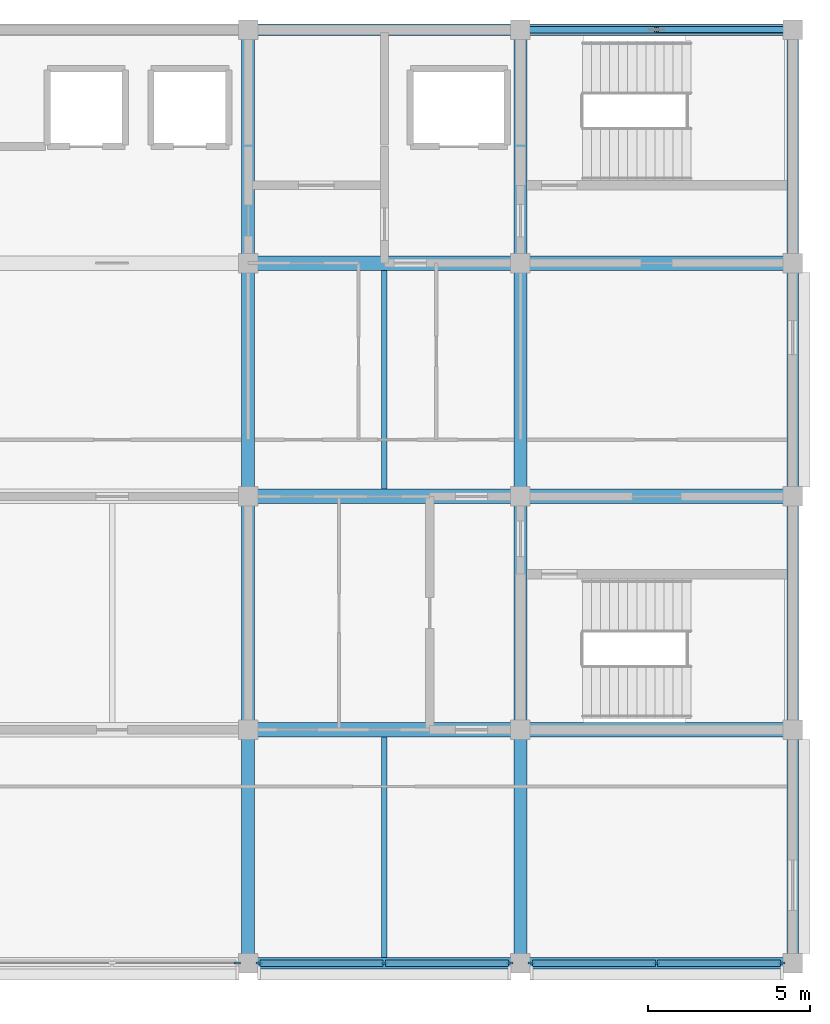
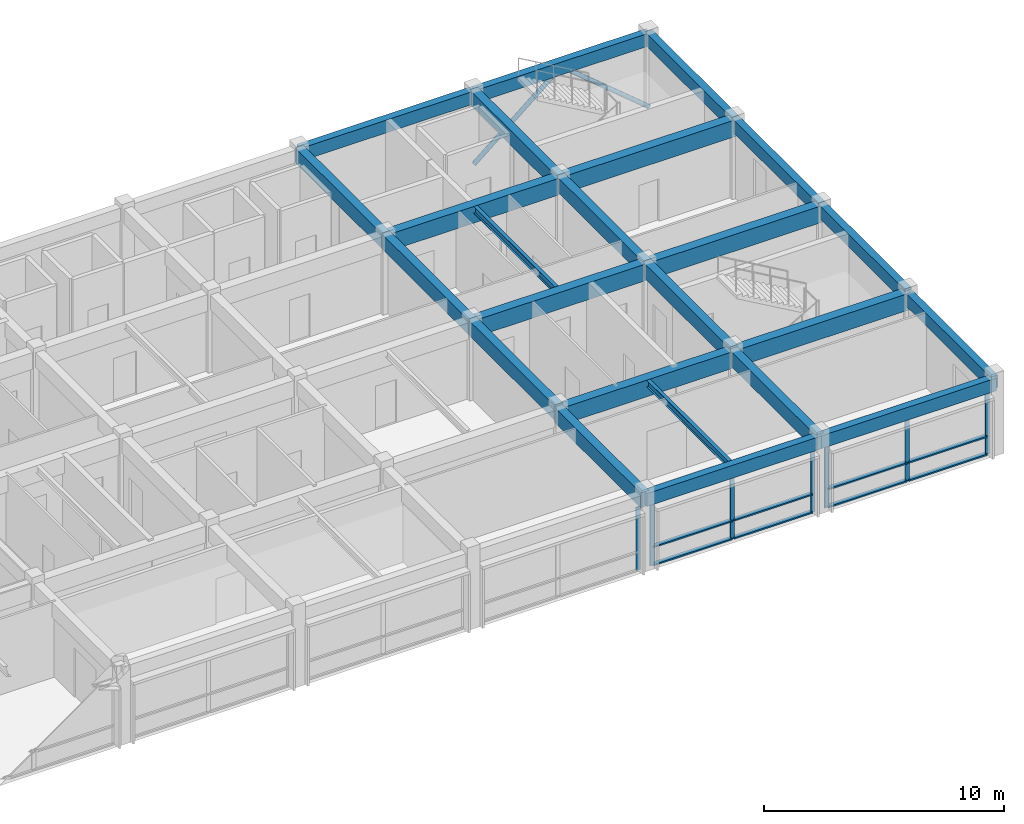
# One storey, part 4 of 13: 24 beams, 21 members, 3 elements without a shape of their own.
"""IFC4 building model written with IfcOpenShell, lengths in metres."""

from ifc_helpers import new_model, si_unit, direction, frame, origin, origin_2d, place, context, subcontext, project, spatial, rectangle, hollow_circle, i_section, extrude, material, layer, layer_set, material_profile, profile_set, type_object, element, aggregate, save


model = new_model("IFC4")

# Units and contexts
model_context = context("Model", 3, precision=1e-05, world=origin(), true_north=direction((0.0, 1.0)))
body_context = subcontext(model_context, "Body", "Model", "MODEL_VIEW")
ifc_project = project(units=[si_unit("LENGTHUNIT", "METRE"), si_unit("AREAUNIT", "SQUARE_METRE"), si_unit("VOLUMEUNIT", "CUBIC_METRE"), si_unit("PLANEANGLEUNIT", "RADIAN"), si_unit("MASSUNIT", "GRAM", prefix="KILO")], contexts=[model_context])

# Site, building, storey
site_placement = place(None, origin())
site = spatial("IfcSite", under=ifc_project, at=site_placement, CompositionType="ELEMENT")
building_placement = place(site_placement, origin())
building = spatial("IfcBuilding", under=site, at=building_placement, Name="Chengyuan Square Courthouse", CompositionType="ELEMENT")
storey_placement = place(building_placement, frame((0.0, 0.0, 64.5)))
storey = spatial("IfcBuildingStorey", under=building, at=storey_placement, Name="L15", CompositionType="ELEMENT", Elevation=64.5)

# Beams
ifc_material_1 = material(Name="Concrete C40", Category="concrete")
ifc_material_profile_1 = material_profile(ifc_material_1, rectangle(XDim=0.449951171875, YDim=0.85009765625, at=origin_2d()), Name="RC-BM-450x850")
ifc_profile_set_1 = profile_set([ifc_material_profile_1], Name="Concrete C40")
beam_type_1 = type_object("IfcBeamType", Name="BM-01", PredefinedType="USERDEFINED", material=ifc_profile_set_1)
beam_1_placement = place(storey_placement, frame((92.39990234375, 86.39990234375, 3.425048828125), z_axis=(1.0, 0.0, 0.0), x_axis=(0.0, 1.0, 0.0)))
element("IfcBeam", 1, at=beam_1_placement, inside=storey, type_object=beam_type_1, Name="Girder BM-L15-4501", ObjectType="GIRDER", PredefinedType="USERDEFINED", context=body_context, shape_type="SweptSolid", body=[
    extrude(rectangle(XDim=0.449951171875, YDim=0.85009765625, at=origin_2d()), origin(), (0.0, 0.0, 1.0), 8.400146484375),
])
beam_2_placement = place(storey_placement, frame((100.800048828125, 86.39990234375, 3.425048828125), z_axis=(1.0, 0.0, 0.0), x_axis=(0.0, 1.0, 0.0)))
element("IfcBeam", 2, at=beam_2_placement, inside=storey, type_object=beam_type_1, Name="Girder BM-L15-4502", ObjectType="GIRDER", PredefinedType="USERDEFINED", context=body_context, shape_type="SweptSolid", body=[
    extrude(rectangle(XDim=0.449951171875, YDim=0.85009765625, at=origin_2d()), origin(), (0.0, 0.0, 1.0), 8.39990234375),
])
beam_3_placement = place(storey_placement, frame((92.39990234375, 93.60009765625, 3.52490234375), z_axis=(1.0, 0.0, 0.0), x_axis=(0.0, 1.0, 0.0)))
element("IfcBeam", 3, at=beam_3_placement, inside=storey, type_object=beam_type_1, Name="Girder BM-L15-4507", ObjectType="GIRDER", PredefinedType="USERDEFINED", context=body_context, shape_type="SweptSolid", body=[
    extrude(rectangle(XDim=0.449951171875, YDim=0.85009765625, at=origin_2d()), origin(), (0.0, 0.0, 1.0), 8.400146484375),
])
beam_4_placement = place(storey_placement, frame((100.800048828125, 93.60009765625, 3.52490234375), z_axis=(1.0, 0.0, 0.0), x_axis=(0.0, 1.0, 0.0)))
element("IfcBeam", 4, at=beam_4_placement, inside=storey, type_object=beam_type_1, Name="Girder BM-L15-4508", ObjectType="GIRDER", PredefinedType="USERDEFINED", context=body_context, shape_type="SweptSolid", body=[
    extrude(rectangle(XDim=0.449951171875, YDim=0.85009765625, at=origin_2d()), origin(), (0.0, 0.0, 1.0), 8.39990234375),
])
beam_5_placement = place(storey_placement, frame((92.39990234375, 100.800048828125, 3.52490234375), z_axis=(1.0, 0.0, 0.0), x_axis=(0.0, 1.0, 0.0)))
element("IfcBeam", 5, at=beam_5_placement, inside=storey, type_object=beam_type_1, Name="Girder BM-L15-4513", ObjectType="GIRDER", PredefinedType="USERDEFINED", context=body_context, shape_type="SweptSolid", body=[
    extrude(rectangle(XDim=0.449951171875, YDim=0.85009765625, at=origin_2d()), origin(), (0.0, 0.0, 1.0), 8.400146484375),
])
beam_6_placement = place(storey_placement, frame((100.800048828125, 100.800048828125, 3.52490234375), z_axis=(1.0, 0.0, 0.0), x_axis=(0.0, 1.0, 0.0)))
element("IfcBeam", 6, at=beam_6_placement, inside=storey, type_object=beam_type_1, Name="Girder BM-L15-4514", ObjectType="GIRDER", PredefinedType="USERDEFINED", context=body_context, shape_type="SweptSolid", body=[
    extrude(rectangle(XDim=0.449951171875, YDim=0.85009765625, at=origin_2d()), origin(), (0.0, 0.0, 1.0), 8.39990234375),
])
ifc_material_profile_2 = material_profile(ifc_material_1, rectangle(XDim=0.39990234375, YDim=0.75, at=origin_2d()), Name="RC-BM-400x750")
ifc_profile_set_2 = profile_set([ifc_material_profile_2], Name="Concrete C40")
beam_type_2 = type_object("IfcBeamType", Name="BM-02", PredefinedType="USERDEFINED", material=ifc_profile_set_2)
beam_7_placement = place(storey_placement, frame((92.39990234375, 79.199951171875, 3.47509765625), z_axis=(0.0, 1.0, 0.0), x_axis=(-1.0, 0.0, 0.0)))
element("IfcBeam", 7, at=beam_7_placement, inside=storey, type_object=beam_type_2, Name="Girder BM-L15-4537", ObjectType="GIRDER", PredefinedType="USERDEFINED", context=body_context, shape_type="SweptSolid", body=[
    extrude(rectangle(XDim=0.39990234375, YDim=0.75, at=origin_2d()), origin(), (0.0, 0.0, 1.0), 7.199951171875),
])
beam_8_placement = place(storey_placement, frame((92.39990234375, 86.39990234375, 3.574951171875), z_axis=(0.0, 1.0, 0.0), x_axis=(-1.0, 0.0, 0.0)))
element("IfcBeam", 8, at=beam_8_placement, inside=storey, type_object=beam_type_2, Name="Girder BM-L15-4538", ObjectType="GIRDER", PredefinedType="USERDEFINED", context=body_context, shape_type="SweptSolid", body=[
    extrude(rectangle(XDim=0.39990234375, YDim=0.75, at=origin_2d()), origin(), (0.0, 0.0, 1.0), 7.2001953125),
])
for number, where, z_axis, x_axis, name in (
    (9, (92.39990234375, 93.60009765625, 3.574951171875), (0.0, 1.0, 0.0), (-1.0, 0.0, 0.0), "Girder BM-L15-4539"),
    (10, (92.39990234375, 100.800048828125, 3.574951171875), (0.0, 1.0, 0.0), (-1.0, 0.0, 0.0), "Girder BM-L15-4540"),
    (11, (100.800048828125, 79.199951171875, 3.47509765625), (0.0, 1.0, 0.0), (-1.0, 0.0, 0.0), "Girder BM-L15-4541"),
):
    element("IfcBeam", number, at=place(storey_placement, frame(where, z_axis=z_axis, x_axis=x_axis)), inside=storey, type_object=beam_type_2, Name=name, ObjectType="GIRDER", PredefinedType="USERDEFINED", context=body_context, shape_type="SweptSolid", body=[
        extrude(rectangle(XDim=0.39990234375, YDim=0.75, at=origin_2d()), origin(), (0.0, 0.0, 1.0), 7.199951171875),
    ])
beam_9_placement = place(storey_placement, frame((100.800048828125, 86.39990234375, 3.574951171875), z_axis=(0.0, 1.0, 0.0), x_axis=(-1.0, 0.0, 0.0)))
element("IfcBeam", 12, at=beam_9_placement, inside=storey, type_object=beam_type_2, Name="Girder BM-L15-4542", ObjectType="GIRDER", PredefinedType="USERDEFINED", context=body_context, shape_type="SweptSolid", body=[
    extrude(rectangle(XDim=0.39990234375, YDim=0.75, at=origin_2d()), origin(), (0.0, 0.0, 1.0), 7.2001953125),
])
for number, where, z_axis, x_axis, name in (
    (13, (100.800048828125, 93.60009765625, 3.574951171875), (0.0, 1.0, 0.0), (-1.0, 0.0, 0.0), "Girder BM-L15-4543"),
    (14, (100.800048828125, 100.800048828125, 3.574951171875), (0.0, 1.0, 0.0), (-1.0, 0.0, 0.0), "Girder BM-L15-4544"),
):
    element("IfcBeam", number, at=place(storey_placement, frame(where, z_axis=z_axis, x_axis=x_axis)), inside=storey, type_object=beam_type_2, Name=name, ObjectType="GIRDER", PredefinedType="USERDEFINED", context=body_context, shape_type="SweptSolid", body=[
        extrude(rectangle(XDim=0.39990234375, YDim=0.75, at=origin_2d()), origin(), (0.0, 0.0, 1.0), 7.199951171875),
    ])
ifc_material_profile_3 = material_profile(ifc_material_1, rectangle(XDim=0.35009765625, YDim=0.64990234375, at=origin_2d()), Name="RC-BM-350x650")
ifc_profile_set_3 = profile_set([ifc_material_profile_3], Name="Concrete C40")
beam_type_3 = type_object("IfcBeamType", Name="BM-03", PredefinedType="SPANDREL", material=ifc_profile_set_3)
beam_10_placement = place(storey_placement, frame((92.39990234375, 79.199951171875, 3.52490234375), z_axis=(1.0, 0.0, 0.0), x_axis=(0.0, 1.0, 0.0)))
element("IfcBeam", 15, at=beam_10_placement, inside=storey, type_object=beam_type_3, Name="Girder BM-L15-4495", PredefinedType="SPANDREL", context=body_context, shape_type="SweptSolid", body=[
    extrude(rectangle(XDim=0.35009765625, YDim=0.64990234375, at=origin_2d()), origin(), (0.0, 0.0, 1.0), 8.400146484375),
])
beam_11_placement = place(storey_placement, frame((100.800048828125, 79.199951171875, 3.52490234375), z_axis=(1.0, 0.0, 0.0), x_axis=(0.0, 1.0, 0.0)))
element("IfcBeam", 16, at=beam_11_placement, inside=storey, type_object=beam_type_3, Name="Girder BM-L15-4496", PredefinedType="SPANDREL", context=body_context, shape_type="SweptSolid", body=[
    extrude(rectangle(XDim=0.35009765625, YDim=0.64990234375, at=origin_2d()), origin(), (0.0, 0.0, 1.0), 8.39990234375),
])
beam_12_placement = place(storey_placement, frame((92.39990234375, 108.0, 3.625), z_axis=(1.0, 0.0, 0.0), x_axis=(0.0, 1.0, 0.0)))
element("IfcBeam", 17, at=beam_12_placement, inside=storey, type_object=beam_type_3, Name="Girder BM-L15-4519", PredefinedType="SPANDREL", context=body_context, shape_type="SweptSolid", body=[
    extrude(rectangle(XDim=0.35009765625, YDim=0.64990234375, at=origin_2d()), origin(), (0.0, 0.0, 1.0), 8.400146484375),
])
beam_13_placement = place(storey_placement, frame((100.800048828125, 108.0, 3.625), z_axis=(1.0, 0.0, 0.0), x_axis=(0.0, 1.0, 0.0)))
element("IfcBeam", 18, at=beam_13_placement, inside=storey, type_object=beam_type_3, Name="Girder BM-L15-4520", PredefinedType="SPANDREL", context=body_context, shape_type="SweptSolid", body=[
    extrude(rectangle(XDim=0.35009765625, YDim=0.64990234375, at=origin_2d()), origin(), (0.0, 0.0, 1.0), 8.39990234375),
])
beam_14_placement = place(storey_placement, frame((109.199951171875, 79.199951171875, 3.52490234375), z_axis=(0.0, 1.0, 0.0), x_axis=(-1.0, 0.0, 0.0)))
element("IfcBeam", 19, at=beam_14_placement, inside=storey, type_object=beam_type_3, Name="Girder BM-L15-4545", PredefinedType="SPANDREL", context=body_context, shape_type="SweptSolid", body=[
    extrude(rectangle(XDim=0.35009765625, YDim=0.64990234375, at=origin_2d()), origin(), (0.0, 0.0, 1.0), 7.199951171875),
])
beam_15_placement = place(storey_placement, frame((109.199951171875, 86.39990234375, 3.625), z_axis=(0.0, 1.0, 0.0), x_axis=(-1.0, 0.0, 0.0)))
element("IfcBeam", 20, at=beam_15_placement, inside=storey, type_object=beam_type_3, Name="Girder BM-L15-4546", PredefinedType="SPANDREL", context=body_context, shape_type="SweptSolid", body=[
    extrude(rectangle(XDim=0.35009765625, YDim=0.64990234375, at=origin_2d()), origin(), (0.0, 0.0, 1.0), 7.2001953125),
])
for number, where, z_axis, x_axis, name in (
    (21, (109.199951171875, 93.60009765625, 3.625), (0.0, 1.0, 0.0), (-1.0, 0.0, 0.0), "Girder BM-L15-4547"),
    (22, (109.199951171875, 100.800048828125, 3.625), (0.0, 1.0, 0.0), (-1.0, 0.0, 0.0), "Girder BM-L15-4548"),
):
    element("IfcBeam", number, at=place(storey_placement, frame(where, z_axis=z_axis, x_axis=x_axis)), inside=storey, type_object=beam_type_3, Name=name, PredefinedType="SPANDREL", context=body_context, shape_type="SweptSolid", body=[
        extrude(rectangle(XDim=0.35009765625, YDim=0.64990234375, at=origin_2d()), origin(), (0.0, 0.0, 1.0), 7.199951171875),
    ])
ifc_material_2 = material(Name="Steel Q355B", Category="steel")
ifc_material_profile_4 = material_profile(ifc_material_2, i_section(OverallWidth=0.175048828125, OverallDepth=0.35009765625, WebThickness=0.007080078125, FlangeThickness=0.010986328125, at=origin_2d()), Name="HN 350x175x7x11")
ifc_profile_set_4 = profile_set([ifc_material_profile_4], Name="Steel Q355B")
beam_type_4 = type_object("IfcBeamType", Name="BM-08", PredefinedType="BEAM", material=ifc_profile_set_4)
beam_16_placement = place(storey_placement, frame((96.60009765625, 79.375, 3.675048828125), z_axis=(0.0, 1.0, 0.0), x_axis=(-1.0, 0.0, 0.0)))
element("IfcBeam", 23, at=beam_16_placement, inside=storey, type_object=beam_type_4, Name="Secondary Floor Beam SBM-L15-4556", PredefinedType="BEAM", context=body_context, shape_type="SweptSolid", body=[
    extrude(i_section(OverallWidth=0.175048828125, OverallDepth=0.35009765625, WebThickness=0.007080078125, FlangeThickness=0.010986328125, at=origin_2d()), origin(), (0.0, 0.0, 1.0), 6.800048828125),
])
beam_17_placement = place(storey_placement, frame((96.60009765625, 93.824951171875, 3.77490234375), z_axis=(0.0, 1.0, 0.0), x_axis=(-1.0, 0.0, 0.0)))
element("IfcBeam", 24, at=beam_17_placement, inside=storey, type_object=beam_type_4, Name="Secondary Floor Beam SBM-L15-4557", PredefinedType="BEAM", context=body_context, shape_type="SweptSolid", body=[
    extrude(i_section(OverallWidth=0.175048828125, OverallDepth=0.35009765625, WebThickness=0.007080078125, FlangeThickness=0.010986328125, at=origin_2d()), origin(), (0.0, 0.0, 1.0), 6.75),
])

# Members
ifc_material_profile_5 = material_profile(ifc_material_2, hollow_circle(Radius=0.109619140625, WallThickness=0.008056640625, at=origin_2d()), Name="CHS 219x8")
ifc_profile_set_5 = profile_set([ifc_material_profile_5], Name="Steel Q355B")
member_type_1 = type_object("IfcMemberType", Name="BR-02", PredefinedType="BRACE", material=ifc_profile_set_5)
for number, where, z_axis, x_axis, name in (
    (25, (100.800048828125, 108.0, 0.10009765625), (0.768217619255, 0.0, 0.64018879205), (0.0, 1.0, 0.0), "Steel Chevron Brace BR-L15-059"),
    (26, (109.199951171875, 108.0, 0.10009765625), (-0.768217619255, 0.0, 0.64018879205), (0.0, -1.0, 0.0), "Steel Chevron Brace BR-L15-060"),
):
    element("IfcMember", number, at=place(storey_placement, frame(where, z_axis=z_axis, x_axis=x_axis)), inside=storey, type_object=member_type_1, Name=name, PredefinedType="BRACE", context=body_context, shape_type="SweptSolid", body=[
        extrude(hollow_circle(Radius=0.109619140625, WallThickness=0.008056640625, at=origin_2d()), origin(), (0.0, 0.0, 1.0), 5.467041015625),
    ])

# Curtain wall, member
ifc_material_3 = material(Name="Unitised Aluminium and Triple Low-E Glass", Category="aluminium")
ifc_layer = layer(ifc_material_3, 0.199951171875)
ifc_layer_set = layer_set([ifc_layer], Name="Unitised Aluminium and Triple Low-E Glass")
curtain_wall_type = type_object("IfcCurtainWallType", Name="CW-19", PredefinedType="USERDEFINED", material=ifc_layer_set)
curtain_wall_1_placement = place(storey_placement, origin())
curtain_wall_1 = element("IfcCurtainWall", 27, at=curtain_wall_1_placement, inside=storey, type_object=curtain_wall_type, Name="Unitised Curtain Wall CW-L15-279", ObjectType="UNITISED CURTAIN WALL", PredefinedType="USERDEFINED")
ifc_material_4 = material(Name="Aluminium 6063-T6 Frame", Category="aluminium")
ifc_material_profile_6 = material_profile(ifc_material_4, rectangle(XDim=0.070068359375, YDim=0.199951171875, at=origin_2d()), Name="CW-MUL-70x200")
ifc_profile_set_6 = profile_set([ifc_material_profile_6], Name="Aluminium 6063-T6 Frame")
member_type_2 = type_object("IfcMemberType", Name="CWM-03", PredefinedType="MULLION", material=ifc_profile_set_6)
member_1_placement = place(storey_placement, frame((92.06494140625, 79.199951171875, 0.0), z_axis=(0.0, 0.0, 1.0), x_axis=(0.0, 1.0, 0.0)))
member_1 = element("IfcMember", 28, at=member_1_placement, type_object=member_type_2, Name="CW-19 mullion 3", PredefinedType="MULLION", context=body_context, shape_type="SweptSolid", body=[
    extrude(rectangle(XDim=0.070068359375, YDim=0.199951171875, at=origin_2d()), origin(), (0.0, 0.0, 1.0), 3.199951171875),
])
aggregate(curtain_wall_1, [member_1])

# Curtain wall, members
curtain_wall_2_placement = place(storey_placement, origin())
curtain_wall_2 = element("IfcCurtainWall", 29, at=curtain_wall_2_placement, inside=storey, type_object=curtain_wall_type, Name="Unitised Curtain Wall CW-L15-280", ObjectType="UNITISED CURTAIN WALL", PredefinedType="USERDEFINED")
member_2_placement = place(storey_placement, frame((92.735107421875, 79.199951171875, 0.0), z_axis=(0.0, 0.0, 1.0), x_axis=(0.0, 1.0, 0.0)))
member_2 = element("IfcMember", 30, at=member_2_placement, type_object=member_type_2, Name="CW-19 mullion 1", PredefinedType="MULLION", context=body_context, shape_type="SweptSolid", body=[
    extrude(rectangle(XDim=0.070068359375, YDim=0.199951171875, at=origin_2d()), origin(), (0.0, 0.0, 1.0), 3.199951171875),
])
member_3_placement = place(storey_placement, frame((96.60009765625, 79.199951171875, 0.0), z_axis=(0.0, 0.0, 1.0), x_axis=(0.0, 1.0, 0.0)))
member_3 = element("IfcMember", 31, at=member_3_placement, type_object=member_type_2, Name="CW-19 mullion 2", PredefinedType="MULLION", context=body_context, shape_type="SweptSolid", body=[
    extrude(rectangle(XDim=0.070068359375, YDim=0.199951171875, at=origin_2d()), origin(), (0.0, 0.0, 1.0), 3.199951171875),
])
member_4_placement = place(storey_placement, frame((100.465087890625, 79.199951171875, 0.0), z_axis=(0.0, 0.0, 1.0), x_axis=(0.0, 1.0, 0.0)))
member_4 = element("IfcMember", 32, at=member_4_placement, type_object=member_type_2, Name="CW-19 mullion 3", PredefinedType="MULLION", context=body_context, shape_type="SweptSolid", body=[
    extrude(rectangle(XDim=0.070068359375, YDim=0.199951171875, at=origin_2d()), origin(), (0.0, 0.0, 1.0), 3.199951171875),
])

curtain_wall_3_placement = place(storey_placement, origin())
curtain_wall_3 = element("IfcCurtainWall", 33, at=curtain_wall_3_placement, inside=storey, type_object=curtain_wall_type, Name="Unitised Curtain Wall CW-L15-281", ObjectType="UNITISED CURTAIN WALL", PredefinedType="USERDEFINED")
member_5_placement = place(storey_placement, frame((101.135009765625, 79.199951171875, 0.0), z_axis=(0.0, 0.0, 1.0), x_axis=(0.0, 1.0, 0.0)))
member_5 = element("IfcMember", 34, at=member_5_placement, type_object=member_type_2, Name="CW-19 mullion 1", PredefinedType="MULLION", context=body_context, shape_type="SweptSolid", body=[
    extrude(rectangle(XDim=0.070068359375, YDim=0.199951171875, at=origin_2d()), origin(), (0.0, 0.0, 1.0), 3.199951171875),
])
member_6_placement = place(storey_placement, frame((105.0, 79.199951171875, 0.0), z_axis=(0.0, 0.0, 1.0), x_axis=(0.0, 1.0, 0.0)))
member_6 = element("IfcMember", 35, at=member_6_placement, type_object=member_type_2, Name="CW-19 mullion 2", PredefinedType="MULLION", context=body_context, shape_type="SweptSolid", body=[
    extrude(rectangle(XDim=0.070068359375, YDim=0.199951171875, at=origin_2d()), origin(), (0.0, 0.0, 1.0), 3.199951171875),
])
member_7_placement = place(storey_placement, frame((108.864990234375, 79.199951171875, 0.0), z_axis=(0.0, 0.0, 1.0), x_axis=(0.0, 1.0, 0.0)))
member_7 = element("IfcMember", 36, at=member_7_placement, type_object=member_type_2, Name="CW-19 mullion 3", PredefinedType="MULLION", context=body_context, shape_type="SweptSolid", body=[
    extrude(rectangle(XDim=0.070068359375, YDim=0.199951171875, at=origin_2d()), origin(), (0.0, 0.0, 1.0), 3.199951171875),
])

# Member
ifc_material_profile_7 = material_profile(ifc_material_4, rectangle(XDim=0.199951171875, YDim=0.070068359375, at=origin_2d()), Name="CW-TRN-70x160")
ifc_profile_set_7 = profile_set([ifc_material_profile_7], Name="Aluminium 6063-T6 Frame")
member_type_3 = type_object("IfcMemberType", Name="CWT-03", PredefinedType="USERDEFINED", material=ifc_profile_set_7)
member_8_placement = place(storey_placement, frame((92.77001953125, 79.199951171875, 0.034912109375), z_axis=(1.0, 0.0, 0.0), x_axis=(0.0, 1.0, 0.0)))
member_8 = element("IfcMember", 37, at=member_8_placement, type_object=member_type_3, Name="CW-19 transom 1.1", ObjectType="TRANSOM", PredefinedType="USERDEFINED", context=body_context, shape_type="SweptSolid", body=[
    extrude(rectangle(XDim=0.199951171875, YDim=0.070068359375, at=origin_2d()), origin(), (0.0, 0.0, 1.0), 3.794921875),
])

member_9_placement = place(storey_placement, frame((92.77001953125, 79.199951171875, 0.949951171875), z_axis=(1.0, 0.0, 0.0), x_axis=(0.0, 1.0, 0.0)))
member_9 = element("IfcMember", 38, at=member_9_placement, type_object=member_type_3, Name="CW-19 transom 1.2", ObjectType="TRANSOM", PredefinedType="USERDEFINED", context=body_context, shape_type="SweptSolid", body=[
    extrude(rectangle(XDim=0.199951171875, YDim=0.070068359375, at=origin_2d()), origin(), (0.0, 0.0, 1.0), 3.794921875),
])

member_10_placement = place(storey_placement, frame((92.77001953125, 79.199951171875, 3.1650390625), z_axis=(1.0, 0.0, 0.0), x_axis=(0.0, 1.0, 0.0)))
member_10 = element("IfcMember", 39, at=member_10_placement, type_object=member_type_3, Name="CW-19 transom 1.3", ObjectType="TRANSOM", PredefinedType="USERDEFINED", context=body_context, shape_type="SweptSolid", body=[
    extrude(rectangle(XDim=0.199951171875, YDim=0.070068359375, at=origin_2d()), origin(), (0.0, 0.0, 1.0), 3.794921875),
])

member_11_placement = place(storey_placement, frame((96.635009765625, 79.199951171875, 0.034912109375), z_axis=(1.0, 0.0, 0.0), x_axis=(0.0, 1.0, 0.0)))
member_11 = element("IfcMember", 40, at=member_11_placement, type_object=member_type_3, Name="CW-19 transom 2.1", ObjectType="TRANSOM", PredefinedType="USERDEFINED", context=body_context, shape_type="SweptSolid", body=[
    extrude(rectangle(XDim=0.199951171875, YDim=0.070068359375, at=origin_2d()), origin(), (0.0, 0.0, 1.0), 3.794921875),
])

member_12_placement = place(storey_placement, frame((96.635009765625, 79.199951171875, 0.949951171875), z_axis=(1.0, 0.0, 0.0), x_axis=(0.0, 1.0, 0.0)))
member_12 = element("IfcMember", 41, at=member_12_placement, type_object=member_type_3, Name="CW-19 transom 2.2", ObjectType="TRANSOM", PredefinedType="USERDEFINED", context=body_context, shape_type="SweptSolid", body=[
    extrude(rectangle(XDim=0.199951171875, YDim=0.070068359375, at=origin_2d()), origin(), (0.0, 0.0, 1.0), 3.794921875),
])

member_13_placement = place(storey_placement, frame((96.635009765625, 79.199951171875, 3.1650390625), z_axis=(1.0, 0.0, 0.0), x_axis=(0.0, 1.0, 0.0)))
member_13 = element("IfcMember", 42, at=member_13_placement, type_object=member_type_3, Name="CW-19 transom 2.3", ObjectType="TRANSOM", PredefinedType="USERDEFINED", context=body_context, shape_type="SweptSolid", body=[
    extrude(rectangle(XDim=0.199951171875, YDim=0.070068359375, at=origin_2d()), origin(), (0.0, 0.0, 1.0), 3.794921875),
])

aggregate(curtain_wall_2, [member_2, member_3, member_4, member_8, member_9, member_10, member_11, member_12, member_13])

member_14_placement = place(storey_placement, frame((101.169921875, 79.199951171875, 0.034912109375), z_axis=(1.0, 0.0, 0.0), x_axis=(0.0, 1.0, 0.0)))
member_14 = element("IfcMember", 43, at=member_14_placement, type_object=member_type_3, Name="CW-19 transom 1.1", ObjectType="TRANSOM", PredefinedType="USERDEFINED", context=body_context, shape_type="SweptSolid", body=[
    extrude(rectangle(XDim=0.199951171875, YDim=0.070068359375, at=origin_2d()), origin(), (0.0, 0.0, 1.0), 3.795166015625),
])

member_15_placement = place(storey_placement, frame((101.169921875, 79.199951171875, 0.949951171875), z_axis=(1.0, 0.0, 0.0), x_axis=(0.0, 1.0, 0.0)))
member_15 = element("IfcMember", 44, at=member_15_placement, type_object=member_type_3, Name="CW-19 transom 1.2", ObjectType="TRANSOM", PredefinedType="USERDEFINED", context=body_context, shape_type="SweptSolid", body=[
    extrude(rectangle(XDim=0.199951171875, YDim=0.070068359375, at=origin_2d()), origin(), (0.0, 0.0, 1.0), 3.795166015625),
])

member_16_placement = place(storey_placement, frame((101.169921875, 79.199951171875, 3.1650390625), z_axis=(1.0, 0.0, 0.0), x_axis=(0.0, 1.0, 0.0)))
member_16 = element("IfcMember", 45, at=member_16_placement, type_object=member_type_3, Name="CW-19 transom 1.3", ObjectType="TRANSOM", PredefinedType="USERDEFINED", context=body_context, shape_type="SweptSolid", body=[
    extrude(rectangle(XDim=0.199951171875, YDim=0.070068359375, at=origin_2d()), origin(), (0.0, 0.0, 1.0), 3.795166015625),
])

member_17_placement = place(storey_placement, frame((105.034912109375, 79.199951171875, 0.034912109375), z_axis=(1.0, 0.0, 0.0), x_axis=(0.0, 1.0, 0.0)))
member_17 = element("IfcMember", 46, at=member_17_placement, type_object=member_type_3, Name="CW-19 transom 2.1", ObjectType="TRANSOM", PredefinedType="USERDEFINED", context=body_context, shape_type="SweptSolid", body=[
    extrude(rectangle(XDim=0.199951171875, YDim=0.070068359375, at=origin_2d()), origin(), (0.0, 0.0, 1.0), 3.795166015625),
])

member_18_placement = place(storey_placement, frame((105.034912109375, 79.199951171875, 0.949951171875), z_axis=(1.0, 0.0, 0.0), x_axis=(0.0, 1.0, 0.0)))
member_18 = element("IfcMember", 47, at=member_18_placement, type_object=member_type_3, Name="CW-19 transom 2.2", ObjectType="TRANSOM", PredefinedType="USERDEFINED", context=body_context, shape_type="SweptSolid", body=[
    extrude(rectangle(XDim=0.199951171875, YDim=0.070068359375, at=origin_2d()), origin(), (0.0, 0.0, 1.0), 3.795166015625),
])

member_19_placement = place(storey_placement, frame((105.034912109375, 79.199951171875, 3.1650390625), z_axis=(1.0, 0.0, 0.0), x_axis=(0.0, 1.0, 0.0)))
member_19 = element("IfcMember", 48, at=member_19_placement, type_object=member_type_3, Name="CW-19 transom 2.3", ObjectType="TRANSOM", PredefinedType="USERDEFINED", context=body_context, shape_type="SweptSolid", body=[
    extrude(rectangle(XDim=0.199951171875, YDim=0.070068359375, at=origin_2d()), origin(), (0.0, 0.0, 1.0), 3.795166015625),
])

aggregate(curtain_wall_3, [member_5, member_6, member_7, member_14, member_15, member_16, member_17, member_18, member_19])

save(model, "model.ifc")
